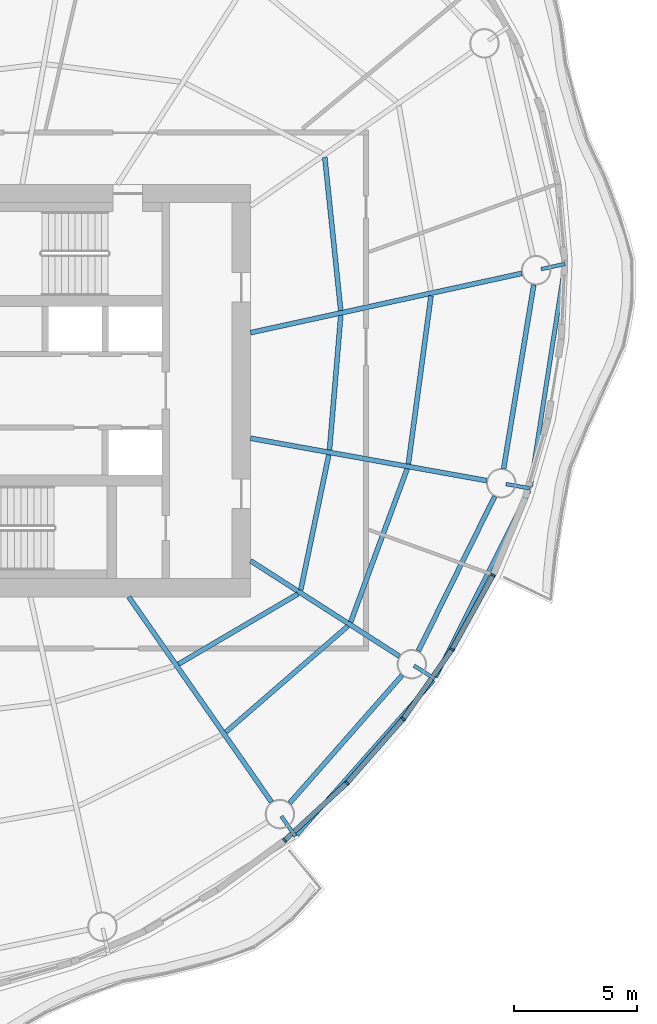
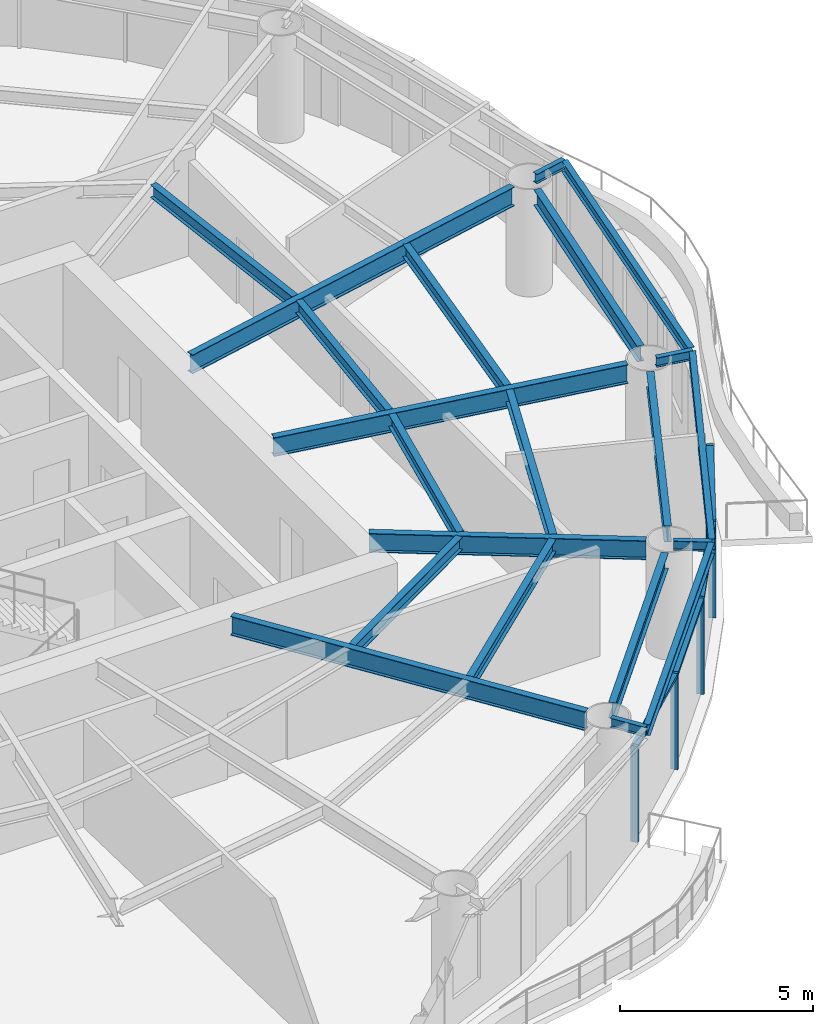
# One storey, part 4 of 14: 21 beams, 9 members, 4 elements without a shape of their own.
"""IFC4 building model written with IfcOpenShell, lengths in metres."""

from ifc_helpers import new_model, si_unit, direction, frame, origin, origin_2d, place, context, subcontext, project, spatial, rectangle, i_section, extrude, material, material_profile, profile_set, type_object, element, aggregate, save


model = new_model("IFC4")

# Units and contexts
model_context = context("Model", 3, precision=1e-05, world=origin(), true_north=direction((0.0, 1.0)))
body_context = subcontext(model_context, "Body", "Model", "MODEL_VIEW")
ifc_project = project(units=[si_unit("LENGTHUNIT", "METRE"), si_unit("AREAUNIT", "SQUARE_METRE"), si_unit("VOLUMEUNIT", "CUBIC_METRE"), si_unit("PLANEANGLEUNIT", "RADIAN"), si_unit("MASSUNIT", "GRAM", prefix="KILO")], contexts=[model_context])

# Site, building, storey
site_placement = place(None, origin())
site = spatial("IfcSite", under=ifc_project, at=site_placement, CompositionType="ELEMENT")
building_placement = place(site_placement, origin())
building = spatial("IfcBuilding", under=site, at=building_placement, Name="Vermilion Reach Broadcast Tower", CompositionType="ELEMENT")
storey_placement = place(building_placement, frame((0.0, 0.0, 238.89990234375)))
storey = spatial("IfcBuildingStorey", under=building, at=storey_placement, Name="L59", CompositionType="ELEMENT", Elevation=238.89990234375)

# Beams
ifc_material_1 = material(Name="Steel S355J2", Category="steel")
ifc_material_profile_1 = material_profile(ifc_material_1, i_section(OverallWidth=0.175048828125, OverallDepth=0.35009765625, WebThickness=0.007080078125, FlangeThickness=0.010986328125, at=origin_2d()), Name="S355J2 HN 350x175x7x11")
ifc_profile_set_1 = profile_set([ifc_material_profile_1], Name="Steel S355J2")
beam_type_1 = type_object("IfcBeamType", Name="EB4 HN 350x175x7x11", PredefinedType="BEAM", material=ifc_profile_set_1)
beam_1_placement = place(storey_placement, frame((6.67578125, -18.086181640625, 3.22509765625), z_axis=(0.662449178429, 0.749106858865, 0.0), x_axis=(-0.749106858865, 0.662449178429, 0.0)))
element("IfcBeam", 1, at=beam_1_placement, inside=storey, type_object=beam_type_1, Name="Edge beam EB4-12", PredefinedType="BEAM", context=body_context, shape_type="SweptSolid", body=[
    extrude(i_section(OverallWidth=0.175048828125, OverallDepth=0.35009765625, WebThickness=0.007080078125, FlangeThickness=0.010986328125, at=origin_2d()), origin(), (0.0, 0.0, 1.0), 8.40673828125),
])
beam_2_placement = place(storey_placement, frame((12.3291015625, -11.664306640625, 3.22509765625), z_axis=(0.44802738022, 0.894019835671, 0.0), x_axis=(-0.894019835671, 0.44802738022, 0.0)))
element("IfcBeam", 2, at=beam_2_placement, inside=storey, type_object=beam_type_1, Name="Edge beam EB4-13", PredefinedType="BEAM", context=body_context, shape_type="SweptSolid", body=[
    extrude(i_section(OverallWidth=0.175048828125, OverallDepth=0.35009765625, WebThickness=0.007080078125, FlangeThickness=0.010986328125, at=origin_2d()), origin(), (0.0, 0.0, 1.0), 8.518310546875),
])
beam_3_placement = place(storey_placement, frame((16.19189453125, -3.90478515625, 3.22509765625), z_axis=(0.153646996885, 0.988125801884, 0.0), x_axis=(-0.988125801884, 0.153646996885, 0.0)))
element("IfcBeam", 3, at=beam_3_placement, inside=storey, type_object=beam_type_1, Name="Edge beam EB4-14", PredefinedType="BEAM", context=body_context, shape_type="SweptSolid", body=[
    extrude(i_section(OverallWidth=0.175048828125, OverallDepth=0.35009765625, WebThickness=0.007080078125, FlangeThickness=0.010986328125, at=origin_2d()), origin(), (0.0, 0.0, 1.0), 9.092041015625),
])
ifc_material_2 = material(Name="Steel S355J2", Category="steel")
ifc_material_profile_2 = material_profile(ifc_material_2, i_section(OverallWidth=0.199951171875, OverallDepth=0.60009765625, WebThickness=0.010986328125, FlangeThickness=0.01708984375, at=origin_2d()), Name="S355J2 HN 600x200x11x17")
ifc_profile_set_2 = profile_set([ifc_material_profile_2], Name="Steel S355J2")
beam_type_2 = type_object("IfcBeamType", Name="G4 HN 600x200x11x17", PredefinedType="BEAM", material=ifc_profile_set_2)
beam_4_placement = place(storey_placement, frame((-0.1552734375, -8.39990234375, 3.10009765625), z_axis=(0.571134149017, -0.8208567377, 0.0), x_axis=(0.8208567377, 0.571134149017, 0.0)))
element("IfcBeam", 4, at=beam_4_placement, inside=storey, type_object=beam_type_2, Name="Girder G4-12", PredefinedType="BEAM", context=body_context, shape_type="SweptSolid", body=[
    extrude(i_section(OverallWidth=0.199951171875, OverallDepth=0.60009765625, WebThickness=0.010986328125, FlangeThickness=0.01708984375, at=origin_2d()), origin(), (0.0, 0.0, 1.0), 10.16552734375),
])
beam_5_placement = place(storey_placement, frame((4.800048828125, -6.925537109375, 3.10009765625), z_axis=(0.841798504642, -0.539791883584, 0.0), x_axis=(0.539791883584, 0.841798504642, 0.0)))
element("IfcBeam", 5, at=beam_5_placement, inside=storey, type_object=beam_type_2, Name="Girder G4-13", PredefinedType="BEAM", context=body_context, shape_type="SweptSolid", body=[
    extrude(i_section(OverallWidth=0.199951171875, OverallDepth=0.60009765625, WebThickness=0.010986328125, FlangeThickness=0.01708984375, at=origin_2d()), origin(), (0.0, 0.0, 1.0), 7.1962890625),
])
beam_6_placement = place(storey_placement, frame((4.800048828125, -1.9375, 3.10009765625), z_axis=(0.984291153273, -0.176552897422, 0.0), x_axis=(0.176552897422, 0.984291153273, 0.0)))
element("IfcBeam", 6, at=beam_6_placement, inside=storey, type_object=beam_type_2, Name="Girder G4-14", PredefinedType="BEAM", context=body_context, shape_type="SweptSolid", body=[
    extrude(i_section(OverallWidth=0.199951171875, OverallDepth=0.60009765625, WebThickness=0.010986328125, FlangeThickness=0.01708984375, at=origin_2d()), origin(), (0.0, 0.0, 1.0), 9.765380859375),
])
beam_7_placement = place(storey_placement, frame((4.800048828125, 2.360595703125, 3.10009765625), z_axis=(0.976930175286, 0.213558967537, 0.0), x_axis=(-0.213558967537, 0.976930175286, 0.0)))
element("IfcBeam", 7, at=beam_7_placement, inside=storey, type_object=beam_type_2, Name="Girder G4-15", PredefinedType="BEAM", context=body_context, shape_type="SweptSolid", body=[
    extrude(i_section(OverallWidth=0.199951171875, OverallDepth=0.60009765625, WebThickness=0.010986328125, FlangeThickness=0.01708984375, at=origin_2d()), origin(), (0.0, 0.0, 1.0), 11.29833984375),
])
ifc_material_3 = material(Name="Steel S355J2", Category="steel")
ifc_material_profile_3 = material_profile(ifc_material_3, i_section(OverallWidth=0.14990234375, OverallDepth=0.300048828125, WebThickness=0.006591796875, FlangeThickness=0.009033203125, at=origin_2d()), Name="S355J2 HN 300x150x6.5x9")
ifc_profile_set_3 = profile_set([ifc_material_profile_3], Name="Steel S355J2")
beam_type_3 = type_object("IfcBeamType", Name="GS4 HN 300x150x6.5x9", PredefinedType="BEAM", material=ifc_profile_set_3)
for number, where, z_axis, x_axis, name in (
    (8, (6.053466796875, -17.3232421875, 3.25), (0.571100256946, -0.820880318022, 0.0), (0.820880318022, 0.571100256946, 0.0), "Cantilever stub GS4-12"),
    (9, (11.453369140625, -11.192138671875, 3.25), (0.841796649213, -0.539794777091, 0.0), (0.539794777091, 0.841796649213, 0.0), "Cantilever stub GS4-13"),
    (10, (15.196044921875, -3.80224609375, 3.25), (0.984258143554, -0.176736829348, 0.0), (0.176736829348, 0.984258143554, 0.0), "Cantilever stub GS4-14"),
):
    element("IfcBeam", number, at=place(storey_placement, frame(where, z_axis=z_axis, x_axis=x_axis)), inside=storey, type_object=beam_type_3, Name=name, PredefinedType="BEAM", context=body_context, shape_type="SweptSolid", body=[
        extrude(i_section(OverallWidth=0.14990234375, OverallDepth=0.300048828125, WebThickness=0.006591796875, FlangeThickness=0.009033203125, at=origin_2d()), origin(), (0.0, 0.0, 1.0), 1.0),
    ])
beam_8_placement = place(storey_placement, frame((16.624267578125, 4.9453125, 3.25), z_axis=(0.976922307173, 0.213594957215, 0.0), x_axis=(-0.213594957215, 0.976922307173, 0.0)))
element("IfcBeam", 11, at=beam_8_placement, inside=storey, type_object=beam_type_3, Name="Cantilever stub GS4-15", PredefinedType="BEAM", context=body_context, shape_type="SweptSolid", body=[
    extrude(i_section(OverallWidth=0.14990234375, OverallDepth=0.300048828125, WebThickness=0.006591796875, FlangeThickness=0.009033203125, at=origin_2d()), origin(), (0.0, 0.0, 1.0), 1.000244140625),
])
ifc_material_4 = material(Name="Steel S355J2", Category="steel")
ifc_material_profile_4 = material_profile(ifc_material_4, i_section(OverallWidth=0.199951171875, OverallDepth=0.5, WebThickness=0.010009765625, FlangeThickness=0.01611328125, at=origin_2d()), Name="S355J2 HN 500x200x10x16")
ifc_profile_set_4 = profile_set([ifc_material_profile_4], Name="Steel S355J2")
beam_type_4 = type_object("IfcBeamType", Name="RB4 HN 500x200x10x16", PredefinedType="BEAM", material=ifc_profile_set_4)
beam_9_placement = place(storey_placement, frame((6.3896484375, -16.786376953125, 3.150146484375), z_axis=(0.660565141761, 0.750768735024, 0.0), x_axis=(-0.750768735024, 0.660565141761, 0.0)))
element("IfcBeam", 12, at=beam_9_placement, inside=storey, type_object=beam_type_4, Name="Ring beam RB4-12", PredefinedType="BEAM", context=body_context, shape_type="SweptSolid", body=[
    extrude(i_section(OverallWidth=0.199951171875, OverallDepth=0.5, WebThickness=0.010009765625, FlangeThickness=0.01611328125, at=origin_2d()), origin(), (0.0, 0.0, 1.0), 6.9287109375),
])
beam_10_placement = place(storey_placement, frame((11.628662109375, -10.595947265625, 3.150146484375), z_axis=(0.442977497199, 0.896532730566, 0.0), x_axis=(-0.896532730566, 0.442977497199, 0.0)))
element("IfcBeam", 13, at=beam_10_placement, inside=storey, type_object=beam_type_4, Name="Ring beam RB4-13", PredefinedType="BEAM", context=body_context, shape_type="SweptSolid", body=[
    extrude(i_section(OverallWidth=0.199951171875, OverallDepth=0.5, WebThickness=0.010009765625, FlangeThickness=0.01611328125, at=origin_2d()), origin(), (0.0, 0.0, 1.0), 7.0166015625),
])
beam_11_placement = place(storey_placement, frame((15.099609375, -3.175537109375, 3.150146484375), z_axis=(0.161778110263, 0.986827159659, 0.0), x_axis=(-0.986827159659, 0.161778110263, 0.0)))
element("IfcBeam", 14, at=beam_11_placement, inside=storey, type_object=beam_type_4, Name="Ring beam RB4-14", PredefinedType="BEAM", context=body_context, shape_type="SweptSolid", body=[
    extrude(i_section(OverallWidth=0.199951171875, OverallDepth=0.5, WebThickness=0.010009765625, FlangeThickness=0.01611328125, at=origin_2d()), origin(), (0.0, 0.0, 1.0), 7.584716796875),
])
ifc_material_5 = material(Name="Steel S355J2", Category="steel")
ifc_material_profile_5 = material_profile(ifc_material_5, i_section(OverallWidth=0.199951171875, OverallDepth=0.39990234375, WebThickness=0.008056640625, FlangeThickness=0.012939453125, at=origin_2d()), Name="S355J2 HN 400x200x8x13")
ifc_profile_set_5 = profile_set([ifc_material_profile_5], Name="Steel S355J2")
beam_type_5 = type_object("IfcBeamType", Name="SB4 HN 400x200x8x13", PredefinedType="BEAM", material=ifc_profile_set_5)
beam_12_placement = place(storey_placement, frame((1.866455078125, -11.130615234375, 3.2001953125), z_axis=(0.862172572268, 0.506614701356, 0.0), x_axis=(-0.506614701356, 0.862172572268, 0.0)))
element("IfcBeam", 15, at=beam_12_placement, inside=storey, type_object=beam_type_5, Name="Secondary beam SB4-12-1", PredefinedType="BEAM", context=body_context, shape_type="SweptSolid", body=[
    extrude(i_section(OverallWidth=0.199951171875, OverallDepth=0.39990234375, WebThickness=0.008056640625, FlangeThickness=0.012939453125, at=origin_2d()), origin(), (0.0, 0.0, 1.0), 5.632568359375),
])
beam_13_placement = place(storey_placement, frame((3.791259765625, -13.89697265625, 3.2001953125), z_axis=(0.755129308567, 0.655575874589, 0.0), x_axis=(-0.655575874589, 0.755129308567, 0.0)))
element("IfcBeam", 16, at=beam_13_placement, inside=storey, type_object=beam_type_5, Name="Secondary beam SB4-12-2", PredefinedType="BEAM", context=body_context, shape_type="SweptSolid", body=[
    extrude(i_section(OverallWidth=0.199951171875, OverallDepth=0.39990234375, WebThickness=0.008056640625, FlangeThickness=0.012939453125, at=origin_2d()), origin(), (0.0, 0.0, 1.0), 6.57958984375),
])
beam_14_placement = place(storey_placement, frame((6.841064453125, -8.115478515625, 3.2001953125), z_axis=(0.20320860258, 0.979135467562, 0.0), x_axis=(-0.979135467562, 0.20320860258, 0.0)))
element("IfcBeam", 17, at=beam_14_placement, inside=storey, type_object=beam_type_5, Name="Secondary beam SB4-13-1", PredefinedType="BEAM", context=body_context, shape_type="SweptSolid", body=[
    extrude(i_section(OverallWidth=0.199951171875, OverallDepth=0.39990234375, WebThickness=0.008056640625, FlangeThickness=0.012939453125, at=origin_2d()), origin(), (0.0, 0.0, 1.0), 5.622802734375),
])
beam_15_placement = place(storey_placement, frame((8.8740234375, -9.419189453125, 3.2001953125), z_axis=(0.345833008621, 0.938296078084, 0.0), x_axis=(-0.938296078084, 0.345833008621, 0.0)))
element("IfcBeam", 18, at=beam_15_placement, inside=storey, type_object=beam_type_5, Name="Secondary beam SB4-13-2", PredefinedType="BEAM", context=body_context, shape_type="SweptSolid", body=[
    extrude(i_section(OverallWidth=0.199951171875, OverallDepth=0.39990234375, WebThickness=0.008056640625, FlangeThickness=0.012939453125, at=origin_2d()), origin(), (0.0, 0.0, 1.0), 6.647216796875),
])
beam_16_placement = place(storey_placement, frame((8.012451171875, -2.412109375, 3.2001953125), z_axis=(0.08339866655, 0.996516262997, 0.0), x_axis=(-0.996516262997, 0.08339866655, 0.0)))
element("IfcBeam", 19, at=beam_16_placement, inside=storey, type_object=beam_type_5, Name="Secondary beam SB4-14-1", PredefinedType="BEAM", context=body_context, shape_type="SweptSolid", body=[
    extrude(i_section(OverallWidth=0.199951171875, OverallDepth=0.39990234375, WebThickness=0.008056640625, FlangeThickness=0.012939453125, at=origin_2d()), origin(), (0.0, 0.0, 1.0), 5.49169921875),
])
beam_17_placement = place(storey_placement, frame((11.221435546875, -2.98779296875, 3.2001953125), z_axis=(0.133486718782, 0.991050602093, 0.0), x_axis=(-0.991050602093, 0.133486718782, 0.0)))
element("IfcBeam", 20, at=beam_17_placement, inside=storey, type_object=beam_type_5, Name="Secondary beam SB4-14-2", PredefinedType="BEAM", context=body_context, shape_type="SweptSolid", body=[
    extrude(i_section(OverallWidth=0.199951171875, OverallDepth=0.39990234375, WebThickness=0.008056640625, FlangeThickness=0.012939453125, at=origin_2d()), origin(), (0.0, 0.0, 1.0), 6.913330078125),
])
beam_18_placement = place(storey_placement, frame((8.46875, 3.264892578125, 3.2001953125), z_axis=(-0.103532173355, 0.994626105167, 0.0), x_axis=(-0.994626105167, -0.103532173355, 0.0)))
element("IfcBeam", 21, at=beam_18_placement, inside=storey, type_object=beam_type_5, Name="Secondary beam SB4-15-1", PredefinedType="BEAM", context=body_context, shape_type="SweptSolid", body=[
    extrude(i_section(OverallWidth=0.199951171875, OverallDepth=0.39990234375, WebThickness=0.008056640625, FlangeThickness=0.012939453125, at=origin_2d()), origin(), (0.0, 0.0, 1.0), 6.26318359375),
])

# Curtain wall, member
ifc_material_6 = material(Name="Low-e laminated clear glass in aluminium frame", Category="aluminium")
curtain_wall_type = type_object("IfcCurtainWallType", Name="Slot curtain wall", PredefinedType="NOTDEFINED", material=ifc_material_6)
placement = place(storey_placement, origin())
curtain_wall_1 = element("IfcCurtainWall", 22, at=placement, inside=storey, type_object=curtain_wall_type, Name="Slot curtain wall L59 34", PredefinedType="NOTDEFINED")
ifc_material_7 = material(Name="Anodised aluminium", Category="aluminium")
ifc_material_profile_6 = material_profile(ifc_material_7, rectangle(XDim=0.199951171875, YDim=0.080078125, at=origin_2d()), Name="Slot mullion 80 x 200")
ifc_profile_set_6 = profile_set([ifc_material_profile_6], Name="Anodised aluminium")
member_type_1 = type_object("IfcMemberType", Name="Slot mullion 80 x 200", PredefinedType="MULLION", material=ifc_profile_set_6)
member_1_placement = place(storey_placement, frame((6.18603515625, -18.303466796875, 0.0), z_axis=(0.0, 0.0, 1.0), x_axis=(-0.635256455111, 0.772301260027, 0.0)))
member_1 = element("IfcMember", 23, at=member_1_placement, type_object=member_type_1, Name="Slot mullion L59 34", PredefinedType="MULLION", context=body_context, shape_type="SweptSolid", body=[
    extrude(rectangle(XDim=0.199951171875, YDim=0.080078125, at=origin_2d()), origin(), (0.0, 0.0, 1.0), 3.050048828125),
])

curtain_wall_2 = element("IfcCurtainWall", 24, at=placement, inside=storey, type_object=curtain_wall_type, Name="Slot curtain wall L59 35", PredefinedType="NOTDEFINED")
member_2_placement = place(storey_placement, frame((8.7236328125, -15.9716796875, 0.0), z_axis=(0.0, 0.0, 1.0), x_axis=(-0.715376590004, 0.698739103295, 0.0)))
member_2 = element("IfcMember", 25, at=member_2_placement, type_object=member_type_1, Name="Slot mullion L59 35", PredefinedType="MULLION", context=body_context, shape_type="SweptSolid", body=[
    extrude(rectangle(XDim=0.199951171875, YDim=0.080078125, at=origin_2d()), origin(), (0.0, 0.0, 1.0), 3.050048828125),
])

curtain_wall_3 = element("IfcCurtainWall", 26, at=placement, inside=storey, type_object=curtain_wall_type, Name="Slot curtain wall L59 36", PredefinedType="NOTDEFINED")
member_3_placement = place(storey_placement, frame((11.00830078125, -13.364990234375, 0.0), z_axis=(0.0, 0.0, 1.0), x_axis=(-0.786288459527, 0.617859578233, 0.0)))
member_3 = element("IfcMember", 27, at=member_3_placement, type_object=member_type_1, Name="Slot mullion L59 36", PredefinedType="MULLION", context=body_context, shape_type="SweptSolid", body=[
    extrude(rectangle(XDim=0.199951171875, YDim=0.080078125, at=origin_2d()), origin(), (0.0, 0.0, 1.0), 3.050048828125),
])

# Curtain wall, members
curtain_wall_4 = element("IfcCurtainWall", 28, at=placement, inside=storey, type_object=curtain_wall_type, Name="Slot curtain wall L59 37", PredefinedType="NOTDEFINED")
member_4_placement = place(storey_placement, frame((13.000732421875, -10.528564453125, 0.0), z_axis=(0.0, 0.0, 1.0), x_axis=(-0.848102932634, 0.529831497419, 0.0)))
member_4 = element("IfcMember", 29, at=member_4_placement, type_object=member_type_1, Name="Slot mullion L59 37", PredefinedType="MULLION", context=body_context, shape_type="SweptSolid", body=[
    extrude(rectangle(XDim=0.199951171875, YDim=0.080078125, at=origin_2d()), origin(), (0.0, 0.0, 1.0), 3.050048828125),
])
member_5_placement = place(storey_placement, frame((14.666259765625, -7.51171875, 0.0), z_axis=(0.0, 0.0, 1.0), x_axis=(-0.900629902586, 0.434586905657, 0.0)))
member_5 = element("IfcMember", 30, at=member_5_placement, type_object=member_type_1, Name="Slot mullion L59 38", PredefinedType="MULLION", context=body_context, shape_type="SweptSolid", body=[
    extrude(rectangle(XDim=0.199951171875, YDim=0.080078125, at=origin_2d()), origin(), (0.0, 0.0, 1.0), 3.050048828125),
])

# Member
ifc_material_8 = material(Name="Anodised aluminium", Category="aluminium")
ifc_material_profile_7 = material_profile(ifc_material_8, rectangle(XDim=0.199951171875, YDim=0.10009765625, at=origin_2d()), Name="Slot transom 200 x 100")
ifc_profile_set_7 = profile_set([ifc_material_profile_7], Name="Anodised aluminium")
member_type_2 = type_object("IfcMemberType", Name="Slot transom 200 x 100", PredefinedType="USERDEFINED", material=ifc_profile_set_7)
member_6_placement = place(storey_placement, frame((6.215576171875, -18.2763671875, 3.0), z_axis=(0.736286502576, 0.676669924058, 0.0), x_axis=(-0.676669924058, 0.736286502576, 0.0)))
member_6 = element("IfcMember", 31, at=member_6_placement, type_object=member_type_2, Name="Slot transom L59 34.1", ObjectType="TRANSOM", PredefinedType="USERDEFINED", context=body_context, shape_type="SweptSolid", body=[
    extrude(rectangle(XDim=0.199951171875, YDim=0.10009765625, at=origin_2d()), origin(), (0.0, 0.0, 1.0), 3.3662109375),
])

aggregate(curtain_wall_1, [member_1, member_6])

member_7_placement = place(storey_placement, frame((8.75, -15.94140625, 3.0), z_axis=(0.659147534021, 0.752013649074, 0.0), x_axis=(-0.752013649074, 0.659147534021, 0.0)))
member_7 = element("IfcMember", 32, at=member_7_placement, type_object=member_type_2, Name="Slot transom L59 35.1", ObjectType="TRANSOM", PredefinedType="USERDEFINED", context=body_context, shape_type="SweptSolid", body=[
    extrude(rectangle(XDim=0.199951171875, YDim=0.10009765625, at=origin_2d()), origin(), (0.0, 0.0, 1.0), 3.385986328125),
])

aggregate(curtain_wall_2, [member_2, member_7])

member_8_placement = place(storey_placement, frame((11.03125, -13.332275390625, 3.0), z_axis=(0.57480200781, 0.818292522157, 0.0), x_axis=(-0.818292522157, 0.57480200781, 0.0)))
member_8 = element("IfcMember", 33, at=member_8_placement, type_object=member_type_2, Name="Slot transom L59 36.1", ObjectType="TRANSOM", PredefinedType="USERDEFINED", context=body_context, shape_type="SweptSolid", body=[
    extrude(rectangle(XDim=0.199951171875, YDim=0.10009765625, at=origin_2d()), origin(), (0.0, 0.0, 1.0), 3.385986328125),
])

aggregate(curtain_wall_3, [member_3, member_8])

member_9_placement = place(storey_placement, frame((13.02001953125, -10.49365234375, 3.0), z_axis=(0.483307396805, 0.875450718312, 0.0), x_axis=(-0.875450718312, 0.483307396805, 0.0)))
member_9 = element("IfcMember", 34, at=member_9_placement, type_object=member_type_2, Name="Slot transom L59 37.1", ObjectType="TRANSOM", PredefinedType="USERDEFINED", context=body_context, shape_type="SweptSolid", body=[
    extrude(rectangle(XDim=0.199951171875, YDim=0.10009765625, at=origin_2d()), origin(), (0.0, 0.0, 1.0), 3.3662109375),
])

aggregate(curtain_wall_4, [member_4, member_5, member_9])

save(model, "model.ifc")
